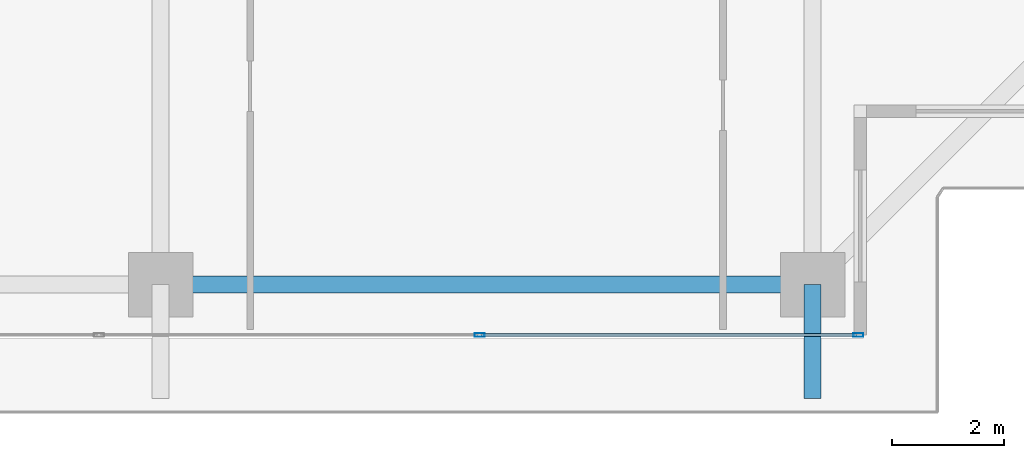
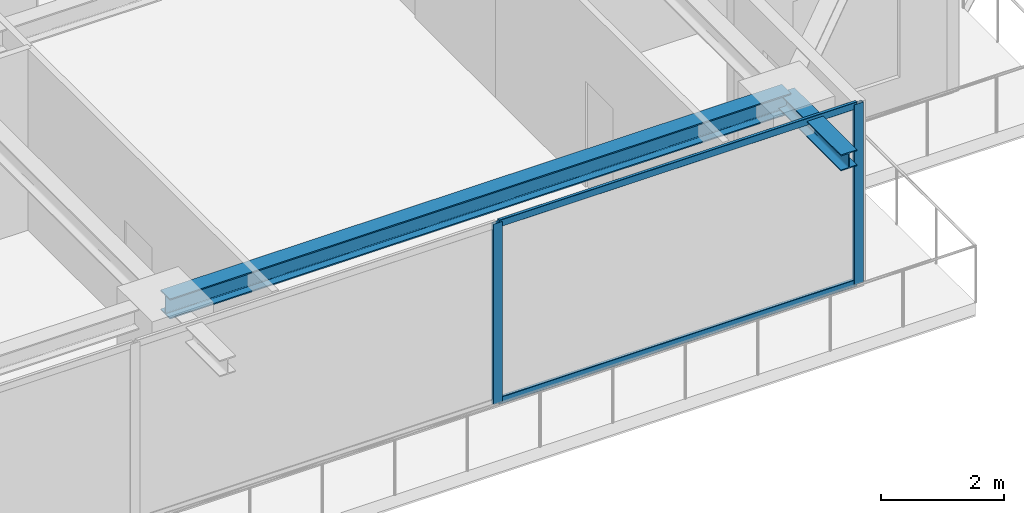
# One storey, part 11 of 37: 4 members, 2 beams, 1 element without a shape of its own.
"""IFC4 building model written with IfcOpenShell, lengths in metres."""

import ifcopenshell
import ifcopenshell.guid

model = None  # the IFC model being written
_history = None  # IfcOwnerHistory: only IFC2X3 demands one
_inside = {}  # id of a spatial element -> (the spatial element, [elements in it])
_under = {}  # id of a project, library or spatial element -> (it, [spatial elements below it])
_declared = {}  # id of a project -> (the project, [libraries it declares])
_typed = {}  # id of a type object -> (the type object, [elements of that type])
_made_of = {}  # id of a material, layer set ... -> (it, [elements and type objects made of it])


def new_model(schema):
    """Start an empty IFC model of exactly this schema.

    Asked for "IFC4X3", IfcOpenShell would pick the latest addendum, in which some entities
    have other attributes; the version numbers below select the first issue.
    IFC2X3 requires an IfcOwnerHistory on every rooted entity: one is made here for all.
    """
    global model, _history
    if schema == "IFC4X3":
        model = ifcopenshell.file(schema_version=(4, 3, 0, 0))
    else:
        model = ifcopenshell.file(schema=schema)
    _inside.clear()
    _under.clear()
    _declared.clear()
    _typed.clear()
    _made_of.clear()
    _history = None
    if model.schema == "IFC2X3":
        org = make("IfcOrganization", Name="unknown")
        user = make(
            "IfcPersonAndOrganization",
            ThePerson=make("IfcPerson", FamilyName="unknown"),
            TheOrganization=org,
        )
        app = make(
            "IfcApplication",
            ApplicationDeveloper=org,
            Version="unknown",
            ApplicationFullName="unknown",
            ApplicationIdentifier="unknown",
        )
        _history = make(
            "IfcOwnerHistory",
            OwningUser=user,
            OwningApplication=app,
            ChangeAction="ADDED",
            CreationDate=0,
        )
    return model


def make(cls, **values):
    """One entity of the class cls with the attributes given. An attribute that is None is left unset."""
    return model.create_entity(
        cls, **{name: value for name, value in values.items() if value is not None}
    )


def rooted(cls, **values):
    """An entity with a GlobalId (a new one), such as an element, a storey or a relation."""
    return make(cls, GlobalId=ifcopenshell.guid.new(), OwnerHistory=_history, **values)


def si_unit(unit_type, name, prefix=None):
    """IfcSIUnit, for example si_unit("LENGTHUNIT", "METRE", prefix="MILLI")."""
    return make("IfcSIUnit", UnitType=unit_type, Prefix=prefix, Name=name)


def assignment(units):
    """IfcUnitAssignment: the units of a project."""
    return None if units is None else make("IfcUnitAssignment", Units=units)


def point(xyz):
    """IfcCartesianPoint."""
    return None if xyz is None else make("IfcCartesianPoint", Coordinates=xyz)


def direction(xyz):
    """IfcDirection."""
    return None if xyz is None else make("IfcDirection", DirectionRatios=xyz)


def frame(location, z_axis=None, x_axis=None):
    """IfcAxis2Placement3D, a coordinate frame: its origin and axes. An axis left out is left unset."""
    return make(
        "IfcAxis2Placement3D",
        Location=point(location),
        Axis=direction(z_axis),
        RefDirection=direction(x_axis),
    )


def frame_2d(location, x_axis=None):
    """IfcAxis2Placement2D, a coordinate frame in the plane: its origin and x axis."""
    return make(
        "IfcAxis2Placement2D", Location=point(location), RefDirection=direction(x_axis)
    )


def origin():
    """The frame at (0, 0, 0) with its axes left unset."""
    return frame((0.0, 0.0, 0.0))


def origin_2d():
    """The frame at (0, 0) in the plane with its x axis left unset."""
    return frame_2d((0.0, 0.0))


def place(relative_to, where):
    """IfcLocalPlacement: puts the frame where relative to a parent placement (None: the world)."""
    return make(
        "IfcLocalPlacement", PlacementRelTo=relative_to, RelativePlacement=where
    )


def context(
    kind, dimensions, precision=None, world=None, true_north=None, identifier=None
):
    """IfcGeometricRepresentationContext, for example the 3D "Model" context."""
    return make(
        "IfcGeometricRepresentationContext",
        ContextIdentifier=identifier,
        ContextType=kind,
        CoordinateSpaceDimension=dimensions,
        Precision=precision,
        WorldCoordinateSystem=world,
        TrueNorth=true_north,
    )


def subcontext(parent, identifier, kind, view, scale=None):
    """IfcGeometricRepresentationSubContext, for example "Body" below "Model"."""
    return make(
        "IfcGeometricRepresentationSubContext",
        ContextIdentifier=identifier,
        ContextType=kind,
        ParentContext=parent,
        TargetScale=scale,
        TargetView=view,
    )


def project(units=None, contexts=None):
    """IfcProject with its units and contexts."""
    return rooted(
        "IfcProject",
        Name="project",
        RepresentationContexts=contexts,
        UnitsInContext=assignment(units),
    )


def spatial(cls, under=None, at=None, **own):
    """A site, building, storey or space (cls), placed at a placement, below another one or the project."""
    s = rooted(cls, ObjectPlacement=at, **own)
    if under is not None:
        _under.setdefault(under.id(), (under, []))[1].append(s)
    return s


def profile(cls, at=None, kind="AREA", **sizes):
    """A parametric profile (cls). Its sizes go by their IFC names, for example OverallWidth=200.0."""
    return make(cls, ProfileType=kind, Position=at, **sizes)


def hollow_rectangle(**sizes):
    """IfcRectangleHollowProfileDef."""
    return profile("IfcRectangleHollowProfileDef", **sizes)


def i_section(**sizes):
    """IfcIShapeProfileDef."""
    return profile("IfcIShapeProfileDef", **sizes)


def extrude(swept, where, along, depth):
    """IfcExtrudedAreaSolid: the profile swept, set in the frame where, extruded along a direction by depth."""
    return make(
        "IfcExtrudedAreaSolid",
        SweptArea=swept,
        Position=where,
        ExtrudedDirection=direction(along),
        Depth=depth,
    )


def shape(context_of_items, identifier, shape_type, items):
    """IfcShapeRepresentation: the items that make up one representation, for example the "Body"."""
    return make(
        "IfcShapeRepresentation",
        ContextOfItems=context_of_items,
        RepresentationIdentifier=identifier,
        RepresentationType=shape_type,
        Items=items,
    )


def source(mapping_origin, context_of_items, identifier, shape_type, items):
    """IfcRepresentationMap: a shape defined once, which mapped items show again and again."""
    return make(
        "IfcRepresentationMap",
        MappingOrigin=mapping_origin,
        MappedRepresentation=shape(context_of_items, identifier, shape_type, items),
    )


def transform(
    local_origin,
    x_axis=None,
    y_axis=None,
    z_axis=None,
    scale=None,
    scale2=None,
    scale3=None,
    uniform=True,
):
    """IfcCartesianTransformationOperator3D, or its non-uniform kind. x_axis, y_axis, z_axis: its Axis1, 2, 3."""
    if uniform:
        return make(
            "IfcCartesianTransformationOperator3D",
            Axis1=direction(x_axis),
            Axis2=direction(y_axis),
            LocalOrigin=point(local_origin),
            Scale=scale,
            Axis3=direction(z_axis),
        )
    return make(
        "IfcCartesianTransformationOperator3DnonUniform",
        Axis1=direction(x_axis),
        Axis2=direction(y_axis),
        LocalOrigin=point(local_origin),
        Scale=scale,
        Axis3=direction(z_axis),
        Scale2=scale2,
        Scale3=scale3,
    )


def mapped(mapping_source, mapping_target):
    """IfcMappedItem: shows the shape of a source again, moved by a transform."""
    return make(
        "IfcMappedItem", MappingSource=mapping_source, MappingTarget=mapping_target
    )


def material(Name=None, Category=None):
    """IfcMaterial."""
    return make("IfcMaterial", Name=Name, Category=Category)


def layer(
    of_material, thickness, ventilated=None, Name=None, Category=None, Priority=None
):
    """IfcMaterialLayer: one layer of a wall or slab, of a material (None: an air gap)."""
    return make(
        "IfcMaterialLayer",
        Material=of_material,
        LayerThickness=thickness,
        IsVentilated=ventilated,
        Name=Name,
        Category=Category,
        Priority=Priority,
    )


def layer_set(layers, Name=None):
    """IfcMaterialLayerSet."""
    return make("IfcMaterialLayerSet", MaterialLayers=layers, LayerSetName=Name)


def material_profile(
    of_material, cross_section, Name=None, Category=None, Priority=None
):
    """IfcMaterialProfile: a cross section and its material."""
    return make(
        "IfcMaterialProfile",
        Name=Name,
        Material=of_material,
        Profile=cross_section,
        Priority=Priority,
        Category=Category,
    )


def profile_set(profiles, Name=None, composite=None):
    """IfcMaterialProfileSet."""
    return make(
        "IfcMaterialProfileSet",
        Name=Name,
        MaterialProfiles=profiles,
        CompositeProfile=composite,
    )


def made_of(thing, what):
    """Note that an element or type object is made of a material, layer set ...; save() writes the relation."""
    if what is not None:
        _made_of.setdefault(what.id(), (what, []))[1].append(thing)
    return thing


def type_object(cls, material=None, **own):
    """A type object (cls), such as IfcWallType, which elements share."""
    return made_of(rooted(cls, **own), material)


def element(
    cls,
    number,
    at=None,
    inside=None,
    cuts=None,
    type_object=None,
    material=None,
    context=None,
    identifier="Body",
    shape_type=None,
    held_by="IfcProductDefinitionShape",
    body=None,
    shapes=None,
    **own,
):
    """One element of the class cls, such as IfcWall. Its Tag is "e" and its number.

    at: its placement. inside: the storey or other place that contains it. cuts: it is an
    opening in that element (IfcRelVoidsElement). A single representation is given by context,
    identifier, shape_type and body (its items); several are given by shapes. held_by: the class
    of the entity that holds the representations. save() writes the other relations.
    """
    e = rooted(cls, Tag="e%d" % number, ObjectPlacement=at, **own)
    if body is not None:
        shapes = [shape(context, identifier, shape_type, body)]
    if shapes is not None:
        e.Representation = make(held_by, Representations=shapes)
    if inside is not None:
        _inside.setdefault(inside.id(), (inside, []))[1].append(e)
    if cuts is not None:
        rooted(
            "IfcRelVoidsElement", RelatingBuildingElement=cuts, RelatedOpeningElement=e
        )
    if type_object is not None:
        _typed.setdefault(type_object.id(), (type_object, []))[1].append(e)
    return made_of(e, material)


def aggregate(whole, parts):
    """IfcRelAggregates: a whole, such as a stair, and the parts it consists of."""
    return rooted("IfcRelAggregates", RelatingObject=whole, RelatedObjects=parts)


def save(model, path):
    """Write the relations noted so far, then the file.

    IfcRelAggregates (storeys below a building ...), IfcRelContainedInSpatialStructure (elements
    in a storey), IfcRelDefinesByType, IfcRelAssociatesMaterial and IfcRelDeclares: one each for
    every whole, place, type object, material and project.
    """
    for whole, parts in _under.values():
        aggregate(whole, parts)
    for where, things in _inside.values():
        rooted(
            "IfcRelContainedInSpatialStructure",
            RelatedElements=things,
            RelatingStructure=where,
        )
    for kind, things in _typed.values():
        rooted("IfcRelDefinesByType", RelatedObjects=things, RelatingType=kind)
    for what, things in _made_of.values():
        rooted("IfcRelAssociatesMaterial", RelatedObjects=things, RelatingMaterial=what)
    for by, libraries in _declared.values():
        rooted("IfcRelDeclares", RelatingContext=by, RelatedDefinitions=libraries)
    model.write(path)


model = new_model("IFC4")

# Units and contexts
model_context = context("Model", 3, precision=1e-05, world=origin(), true_north=direction((0.0, 1.0)))
body_context = subcontext(model_context, "Body", "Model", "MODEL_VIEW")
ifc_project = project(units=[si_unit("LENGTHUNIT", "METRE"), si_unit("AREAUNIT", "SQUARE_METRE"), si_unit("VOLUMEUNIT", "CUBIC_METRE"), si_unit("PLANEANGLEUNIT", "RADIAN"), si_unit("MASSUNIT", "GRAM", prefix="KILO")], contexts=[model_context])

# Site, building, storey
site_placement = place(None, origin())
site = spatial("IfcSite", under=ifc_project, at=site_placement, CompositionType="ELEMENT")
building_placement = place(site_placement, origin())
building = spatial("IfcBuilding", under=site, at=building_placement, Name="Serunith Strait Residences", CompositionType="ELEMENT")
storey_placement = place(building_placement, frame((0.0, 0.0, 279.75)))
storey = spatial("IfcBuildingStorey", under=building, at=storey_placement, Name="L70", CompositionType="ELEMENT", Elevation=279.75)

# Beams
ifc_material_1 = material(Name="Steel S355J2", Category="steel")
ifc_material_profile_1 = material_profile(ifc_material_1, i_section(OverallWidth=0.300048828125, OverallDepth=0.39990234375, WebThickness=0.013427734375, FlangeThickness=0.02392578125, FilletRadius=0.027099609375, at=origin_2d()), Name="HEB 400")
ifc_profile_set_1 = profile_set([ifc_material_profile_1], Name="Steel S355J2")
beam_type_1 = type_object("IfcBeamType", Name="BM-HEB400", PredefinedType="BEAM", material=ifc_profile_set_1)
shared_shape_1 = source(origin(), body_context, "Body", "SweptSolid", [
    extrude(i_section(OverallWidth=0.300048828125, OverallDepth=0.39990234375, WebThickness=0.013427734375, FlangeThickness=0.02392578125, FilletRadius=0.027099609375, at=origin_2d()), origin(), (0.0, 0.0, 1.0), 11.650146484375),
])
beam_1_placement = place(storey_placement, frame((36.89990234375, 2.10009765625, 3.386962890625), z_axis=(1.0, 0.0, 0.0), x_axis=(0.0, 1.0, 0.0)))
element("IfcBeam", 1, at=beam_1_placement, inside=storey, type_object=beam_type_1, Name="L70 Perimeter Ring Beam 03", PredefinedType="BEAM", context=body_context, shape_type="MappedRepresentation", body=[
    mapped(shared_shape_1, transform((0.0, 0.0, 0.0), scale=1.0)),
])
ifc_material_profile_2 = material_profile(ifc_material_1, i_section(OverallWidth=0.300048828125, OverallDepth=0.320068359375, WebThickness=0.011474609375, FlangeThickness=0.0205078125, FilletRadius=0.027099609375, at=origin_2d()), Name="HEB 320")
ifc_profile_set_2 = profile_set([ifc_material_profile_2], Name="Steel S355J2")
beam_type_2 = type_object("IfcBeamType", Name="BM-HEB320", PredefinedType="BEAM", material=ifc_profile_set_2)
shared_shape_2 = source(origin(), body_context, "Body", "SweptSolid", [
    extrude(i_section(OverallWidth=0.300048828125, OverallDepth=0.320068359375, WebThickness=0.011474609375, FlangeThickness=0.0205078125, FilletRadius=0.027099609375, at=origin_2d()), origin(), (0.0, 0.0, 1.0), 2.030029296875),
])
beam_2_placement = place(storey_placement, frame((48.550048828125, 2.10009765625, 3.39697265625), z_axis=(0.0, -1.0, 0.0), x_axis=(1.0, 0.0, 0.0)))
element("IfcBeam", 2, at=beam_2_placement, inside=storey, type_object=beam_type_2, Name="L71 Cantilevered Balcony Rib TC-S4", PredefinedType="BEAM", context=body_context, shape_type="MappedRepresentation", body=[
    mapped(shared_shape_2, transform((0.0, 0.0, 0.0), scale=1.0)),
])

# Curtain wall, members
ifc_material_2 = material(Name="Pale-Champagne Anodised Aluminium", Category="aluminium")
ifc_layer = layer(ifc_material_2, 0.199951171875, Name="Pale-Champagne Anodised Aluminium")
ifc_layer_set = layer_set([ifc_layer], Name="Pale-Champagne Anodised Aluminium")
curtain_wall_type = type_object("IfcCurtainWallType", Name="CW-SYS4", PredefinedType="NOTDEFINED", material=ifc_layer_set)
curtain_wall_placement = place(storey_placement, origin())
curtain_wall = element("IfcCurtainWall", 3, at=curtain_wall_placement, inside=storey, type_object=curtain_wall_type, Name="L70 S Unitised Fritted Curtain Wall", PredefinedType="NOTDEFINED")
ifc_material_profile_3 = material_profile(ifc_material_2, hollow_rectangle(XDim=0.06494140625, YDim=0.179931640625, WallThickness=0.00341796875, InnerFilletRadius=0.00537109375, OuterFilletRadius=0.0087890625, at=origin_2d()), Name="ALU 180x65x3.5")
ifc_profile_set_3 = profile_set([ifc_material_profile_3], Name="Pale-Champagne Anodised Aluminium")
member_type_1 = type_object("IfcMemberType", Name="CW-SYS4-MULL", PredefinedType="MULLION", material=ifc_profile_set_3)
shared_shape_3 = source(origin(), body_context, "Body", "SweptSolid", [
    extrude(hollow_rectangle(XDim=0.06494140625, YDim=0.179931640625, WallThickness=0.00341796875, InnerFilletRadius=0.00537109375, OuterFilletRadius=0.0087890625, at=origin_2d()), origin(), (0.0, 0.0, 1.0), 3.574951171875),
])
member_1_placement = place(storey_placement, frame((42.60009765625, 1.199951171875, 0.0), z_axis=(0.0, 0.0, 1.0), x_axis=(0.0, 1.0, 0.0)))
member_1 = element("IfcMember", 4, at=member_1_placement, type_object=member_type_1, Name="CW-4 mullion 5", PredefinedType="MULLION", context=body_context, shape_type="MappedRepresentation", body=[
    mapped(shared_shape_3, transform((0.0, 0.0, 0.0), scale=1.0)),
])
member_2_placement = place(storey_placement, frame((49.367431640625, 1.199951171875, 0.0), z_axis=(0.0, 0.0, 1.0), x_axis=(0.0, 1.0, 0.0)))
member_2 = element("IfcMember", 5, at=member_2_placement, type_object=member_type_1, Name="CW-4 mullion 6", PredefinedType="MULLION", context=body_context, shape_type="MappedRepresentation", body=[
    mapped(shared_shape_3, transform((0.0, 0.0, 0.0), scale=1.0)),
])
ifc_material_profile_4 = material_profile(ifc_material_2, hollow_rectangle(XDim=0.06005859375, YDim=0.139892578125, WallThickness=0.00341796875, InnerFilletRadius=0.00537109375, OuterFilletRadius=0.0087890625, at=origin_2d()), Name="ALU 140x60x3.5")
ifc_profile_set_4 = profile_set([ifc_material_profile_4], Name="Pale-Champagne Anodised Aluminium")
member_type_2 = type_object("IfcMemberType", Name="CW-SYS4-TRAN", PredefinedType="USERDEFINED", material=ifc_profile_set_4)
shared_shape_4 = source(origin(), body_context, "Body", "SweptSolid", [
    extrude(hollow_rectangle(XDim=0.06005859375, YDim=0.139892578125, WallThickness=0.00341796875, InnerFilletRadius=0.00537109375, OuterFilletRadius=0.0087890625, at=origin_2d()), origin(), (0.0, 0.0, 1.0), 6.702392578125),
])
member_3_placement = place(storey_placement, frame((42.632568359375, 1.199951171875, 0.030029296875), z_axis=(1.0, 0.0, 0.0), x_axis=(0.0, 1.0, 0.0)))
member_3 = element("IfcMember", 6, at=member_3_placement, type_object=member_type_2, Name="CW-4 transom 5.1", ObjectType="TRANSOM", PredefinedType="USERDEFINED", context=body_context, shape_type="MappedRepresentation", body=[
    mapped(shared_shape_4, transform((0.0, 0.0, 0.0), scale=1.0)),
])
member_4_placement = place(storey_placement, frame((42.632568359375, 1.199951171875, 3.544921875), z_axis=(1.0, 0.0, 0.0), x_axis=(0.0, 1.0, 0.0)))
member_4 = element("IfcMember", 7, at=member_4_placement, type_object=member_type_2, Name="CW-4 transom 5.2", ObjectType="TRANSOM", PredefinedType="USERDEFINED", context=body_context, shape_type="MappedRepresentation", body=[
    mapped(shared_shape_4, transform((0.0, 0.0, 0.0), scale=1.0)),
])
aggregate(curtain_wall, [member_1, member_2, member_3, member_4])

save(model, "model.ifc")
